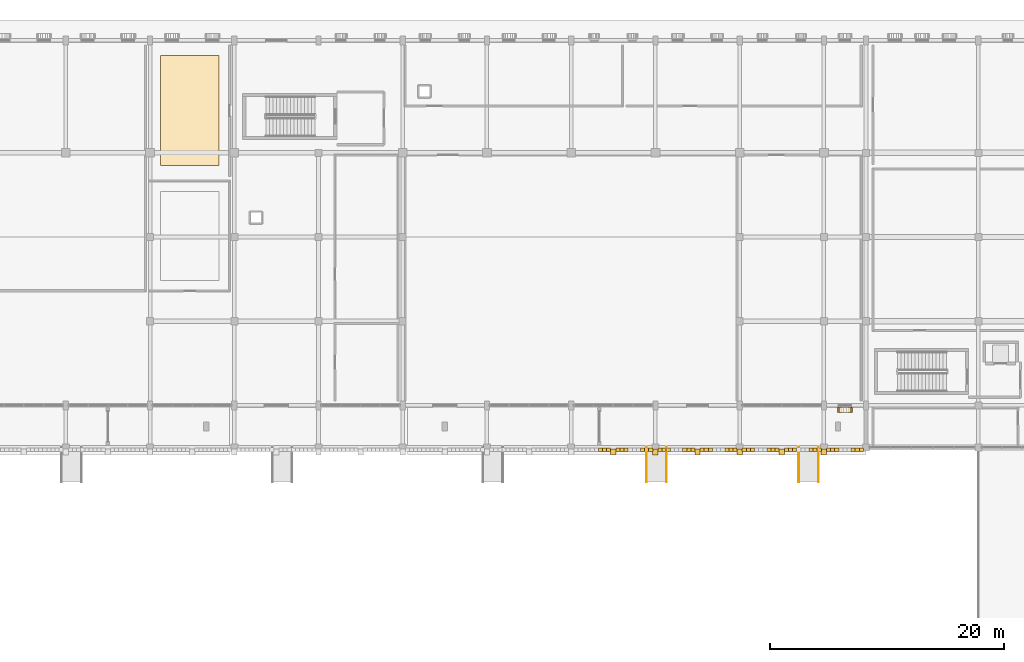
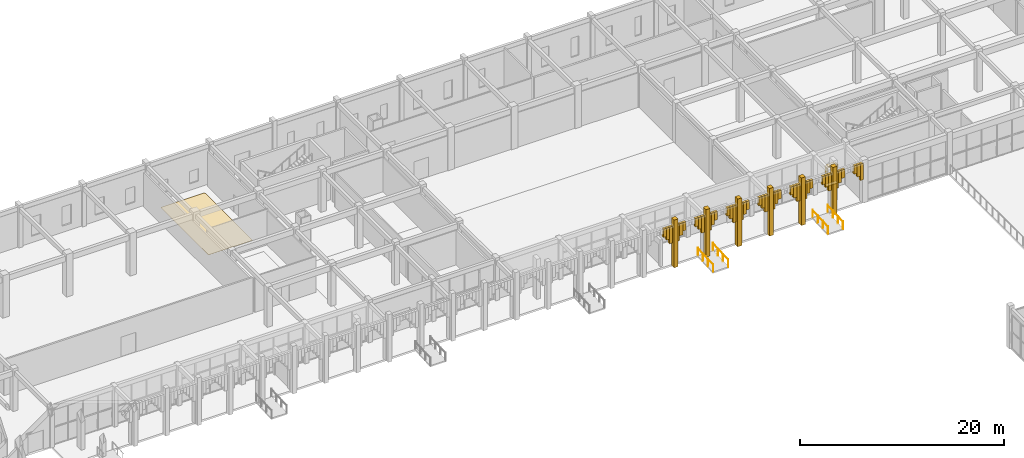
# One storey, part 55 of 72: 51 coverings, 4 railings.
"""IFC4 building model written with IfcOpenShell, lengths in metres."""

from ifc_helpers import new_model, si_unit, direction, frame, origin, origin_2d, place, context, subcontext, project, spatial, polyline, rectangle, circle, outline, extrude, material, layer, layer_set, type_object, element, save


model = new_model("IFC4")

# Units and contexts
model_context = context("Model", 3, precision=1e-05, world=origin(), true_north=direction((0.0, 1.0)))
body_context = subcontext(model_context, "Body", "Model", "MODEL_VIEW")
ifc_project = project(units=[si_unit("LENGTHUNIT", "METRE"), si_unit("AREAUNIT", "SQUARE_METRE"), si_unit("VOLUMEUNIT", "CUBIC_METRE"), si_unit("PLANEANGLEUNIT", "RADIAN"), si_unit("MASSUNIT", "GRAM", prefix="KILO")], contexts=[model_context])

# Site, building, storey
site_placement = place(None, origin())
site = spatial("IfcSite", under=ifc_project, at=site_placement, CompositionType="ELEMENT")
building_placement = place(site_placement, origin())
building = spatial("IfcBuilding", under=site, at=building_placement, Name="Nzembalo Square Collegiate School", CompositionType="ELEMENT")
storey_placement = place(building_placement, origin())
storey = spatial("IfcBuildingStorey", under=building, at=storey_placement, Name="L00", CompositionType="ELEMENT", Elevation=0.0)

# Coverings
ifc_material_1 = material(Name="Precast concrete C40/50 arch voussoir", Category="concrete")
ifc_layer_1 = layer(ifc_material_1, 0.1201171875, Name="Precast concrete C40/50 arch voussoir")
ifc_layer_set_1 = layer_set([ifc_layer_1], Name="Precast concrete C40/50 arch voussoir")
covering_type_1 = type_object("IfcCoveringType", Name="AR01", PredefinedType="CLADDING", material=ifc_layer_set_1)
covering_1_placement = place(storey_placement, frame((108.10205078125, 79.02001953125, 3.810546875), z_axis=(0.0, 0.0, 1.0), x_axis=(1.0, 0.0, 0.0)))
element("IfcCovering", 1, at=covering_1_placement, inside=storey, type_object=covering_type_1, Name="Gothic pointed arch voussoir AR01-060-6", PredefinedType="CLADDING", context=body_context, shape_type="SweptSolid", body=[
    extrude(rectangle(XDim=0.35107421875, YDim=0.280029296875, at=origin_2d()), origin(), (0.0, 0.0, 1.0), 0.989501953125),
])
covering_2_placement = place(storey_placement, frame((108.453125, 79.02001953125, 3.361328125), z_axis=(0.0, 0.0, 1.0), x_axis=(1.0, 0.0, 0.0)))
element("IfcCovering", 2, at=covering_2_placement, inside=storey, type_object=covering_type_1, Name="Gothic pointed arch voussoir AR01-060-7", PredefinedType="CLADDING", context=body_context, shape_type="SweptSolid", body=[
    extrude(rectangle(XDim=0.35107421875, YDim=0.280029296875, at=origin_2d()), origin(), (0.0, 0.0, 1.0), 1.438720703125),
])
covering_3_placement = place(storey_placement, frame((108.80419921875, 79.02001953125, 2.80859375), z_axis=(0.0, 0.0, 1.0), x_axis=(1.0, 0.0, 0.0)))
element("IfcCovering", 3, at=covering_3_placement, inside=storey, type_object=covering_type_1, Name="Gothic pointed arch voussoir AR01-060-8", PredefinedType="CLADDING", context=body_context, shape_type="SweptSolid", body=[
    extrude(rectangle(XDim=0.35107421875, YDim=0.280029296875, at=origin_2d()), origin(), (0.0, 0.0, 1.0), 1.991455078125),
])
covering_4_placement = place(storey_placement, frame((109.595458984375, 79.02001953125, 2.808349609375), z_axis=(0.0, 0.0, 1.0), x_axis=(1.0, 0.0, 0.0)))
element("IfcCovering", 4, at=covering_4_placement, inside=storey, type_object=covering_type_1, Name="Gothic pointed arch voussoir AR01-061-0", PredefinedType="CLADDING", context=body_context, shape_type="SweptSolid", body=[
    extrude(rectangle(XDim=0.35107421875, YDim=0.280029296875, at=origin_2d()), origin(), (0.0, 0.0, 1.0), 1.99169921875),
])
covering_5_placement = place(storey_placement, frame((109.946533203125, 79.02001953125, 3.361083984375), z_axis=(0.0, 0.0, 1.0), x_axis=(1.0, 0.0, 0.0)))
element("IfcCovering", 5, at=covering_5_placement, inside=storey, type_object=covering_type_1, Name="Gothic pointed arch voussoir AR01-061-1", PredefinedType="CLADDING", context=body_context, shape_type="SweptSolid", body=[
    extrude(rectangle(XDim=0.35107421875, YDim=0.280029296875, at=origin_2d()), origin(), (0.0, 0.0, 1.0), 1.43896484375),
])
for number, where, z_axis, x_axis, name in (
    (6, (110.297607421875, 79.02001953125, 3.810546875), (0.0, 0.0, 1.0), (1.0, 0.0, 0.0), "Gothic pointed arch voussoir AR01-061-2"),
    (7, (111.7021484375, 79.02001953125, 3.810546875), (0.0, 0.0, 1.0), (1.0, 0.0, 0.0), "Gothic pointed arch voussoir AR01-061-6"),
):
    element("IfcCovering", number, at=place(storey_placement, frame(where, z_axis=z_axis, x_axis=x_axis)), inside=storey, type_object=covering_type_1, Name=name, PredefinedType="CLADDING", context=body_context, shape_type="SweptSolid", body=[
        extrude(rectangle(XDim=0.35107421875, YDim=0.280029296875, at=origin_2d()), origin(), (0.0, 0.0, 1.0), 0.989501953125),
    ])
covering_6_placement = place(storey_placement, frame((112.05322265625, 79.02001953125, 3.361328125), z_axis=(0.0, 0.0, 1.0), x_axis=(1.0, 0.0, 0.0)))
element("IfcCovering", 8, at=covering_6_placement, inside=storey, type_object=covering_type_1, Name="Gothic pointed arch voussoir AR01-061-7", PredefinedType="CLADDING", context=body_context, shape_type="SweptSolid", body=[
    extrude(rectangle(XDim=0.35107421875, YDim=0.280029296875, at=origin_2d()), origin(), (0.0, 0.0, 1.0), 1.438720703125),
])
covering_7_placement = place(storey_placement, frame((112.404296875, 79.02001953125, 2.80859375), z_axis=(0.0, 0.0, 1.0), x_axis=(1.0, 0.0, 0.0)))
element("IfcCovering", 9, at=covering_7_placement, inside=storey, type_object=covering_type_1, Name="Gothic pointed arch voussoir AR01-061-8", PredefinedType="CLADDING", context=body_context, shape_type="SweptSolid", body=[
    extrude(rectangle(XDim=0.35107421875, YDim=0.280029296875, at=origin_2d()), origin(), (0.0, 0.0, 1.0), 1.991455078125),
])
covering_8_placement = place(storey_placement, frame((109.199951171875, 78.840087890625, 0.0), z_axis=(0.0, 0.0, 1.0), x_axis=(1.0, 0.0, 0.0)))
element("IfcCovering", 10, at=covering_8_placement, inside=storey, type_object=covering_type_1, Name="Gothic arcade buttress pinnacle AR01-B061", PredefinedType="CLADDING", context=body_context, shape_type="SweptSolid", body=[
    extrude(rectangle(XDim=0.4599609375, YDim=0.52001953125, at=origin_2d()), origin(), (0.0, 0.0, 1.0), 5.699951171875),
])
covering_9_placement = place(storey_placement, frame((113.195556640625, 79.02001953125, 2.808349609375), z_axis=(0.0, 0.0, 1.0), x_axis=(1.0, 0.0, 0.0)))
element("IfcCovering", 11, at=covering_9_placement, inside=storey, type_object=covering_type_1, Name="Gothic pointed arch voussoir AR01-062-0", PredefinedType="CLADDING", context=body_context, shape_type="SweptSolid", body=[
    extrude(rectangle(XDim=0.35107421875, YDim=0.280029296875, at=origin_2d()), origin(), (0.0, 0.0, 1.0), 1.99169921875),
])
covering_10_placement = place(storey_placement, frame((113.546630859375, 79.02001953125, 3.361083984375), z_axis=(0.0, 0.0, 1.0), x_axis=(1.0, 0.0, 0.0)))
element("IfcCovering", 12, at=covering_10_placement, inside=storey, type_object=covering_type_1, Name="Gothic pointed arch voussoir AR01-062-1", PredefinedType="CLADDING", context=body_context, shape_type="SweptSolid", body=[
    extrude(rectangle(XDim=0.35107421875, YDim=0.280029296875, at=origin_2d()), origin(), (0.0, 0.0, 1.0), 1.43896484375),
])
for number, where, z_axis, x_axis, name in (
    (13, (113.897705078125, 79.02001953125, 3.810546875), (0.0, 0.0, 1.0), (1.0, 0.0, 0.0), "Gothic pointed arch voussoir AR01-062-2"),
    (14, (115.302001953125, 79.02001953125, 3.810546875), (0.0, 0.0, 1.0), (1.0, 0.0, 0.0), "Gothic pointed arch voussoir AR01-062-6"),
):
    element("IfcCovering", number, at=place(storey_placement, frame(where, z_axis=z_axis, x_axis=x_axis)), inside=storey, type_object=covering_type_1, Name=name, PredefinedType="CLADDING", context=body_context, shape_type="SweptSolid", body=[
        extrude(rectangle(XDim=0.35107421875, YDim=0.280029296875, at=origin_2d()), origin(), (0.0, 0.0, 1.0), 0.989501953125),
    ])
covering_11_placement = place(storey_placement, frame((115.6533203125, 79.02001953125, 3.361328125), z_axis=(0.0, 0.0, 1.0), x_axis=(1.0, 0.0, 0.0)))
element("IfcCovering", 15, at=covering_11_placement, inside=storey, type_object=covering_type_1, Name="Gothic pointed arch voussoir AR01-062-7", PredefinedType="CLADDING", context=body_context, shape_type="SweptSolid", body=[
    extrude(rectangle(XDim=0.35107421875, YDim=0.280029296875, at=origin_2d()), origin(), (0.0, 0.0, 1.0), 1.438720703125),
])
covering_12_placement = place(storey_placement, frame((116.00439453125, 79.02001953125, 2.80859375), z_axis=(0.0, 0.0, 1.0), x_axis=(1.0, 0.0, 0.0)))
element("IfcCovering", 16, at=covering_12_placement, inside=storey, type_object=covering_type_1, Name="Gothic pointed arch voussoir AR01-062-8", PredefinedType="CLADDING", context=body_context, shape_type="SweptSolid", body=[
    extrude(rectangle(XDim=0.35107421875, YDim=0.280029296875, at=origin_2d()), origin(), (0.0, 0.0, 1.0), 1.991455078125),
])
covering_13_placement = place(storey_placement, frame((112.800048828125, 78.840087890625, 0.0), z_axis=(0.0, 0.0, 1.0), x_axis=(1.0, 0.0, 0.0)))
element("IfcCovering", 17, at=covering_13_placement, inside=storey, type_object=covering_type_1, Name="Gothic arcade buttress pinnacle AR01-B062", PredefinedType="CLADDING", context=body_context, shape_type="SweptSolid", body=[
    extrude(rectangle(XDim=0.4599609375, YDim=0.52001953125, at=origin_2d()), origin(), (0.0, 0.0, 1.0), 5.699951171875),
])
covering_14_placement = place(storey_placement, frame((116.79541015625, 79.02001953125, 2.808349609375), z_axis=(0.0, 0.0, 1.0), x_axis=(1.0, 0.0, 0.0)))
element("IfcCovering", 18, at=covering_14_placement, inside=storey, type_object=covering_type_1, Name="Gothic pointed arch voussoir AR01-063-0", PredefinedType="CLADDING", context=body_context, shape_type="SweptSolid", body=[
    extrude(rectangle(XDim=0.35107421875, YDim=0.280029296875, at=origin_2d()), origin(), (0.0, 0.0, 1.0), 1.99169921875),
])
covering_15_placement = place(storey_placement, frame((117.146484375, 79.02001953125, 3.361083984375), z_axis=(0.0, 0.0, 1.0), x_axis=(1.0, 0.0, 0.0)))
element("IfcCovering", 19, at=covering_15_placement, inside=storey, type_object=covering_type_1, Name="Gothic pointed arch voussoir AR01-063-1", PredefinedType="CLADDING", context=body_context, shape_type="SweptSolid", body=[
    extrude(rectangle(XDim=0.35107421875, YDim=0.280029296875, at=origin_2d()), origin(), (0.0, 0.0, 1.0), 1.43896484375),
])
for number, where, z_axis, x_axis, name in (
    (20, (117.497802734375, 79.02001953125, 3.810546875), (0.0, 0.0, 1.0), (1.0, 0.0, 0.0), "Gothic pointed arch voussoir AR01-063-2"),
    (21, (118.902099609375, 79.02001953125, 3.810546875), (0.0, 0.0, 1.0), (1.0, 0.0, 0.0), "Gothic pointed arch voussoir AR01-063-6"),
):
    element("IfcCovering", number, at=place(storey_placement, frame(where, z_axis=z_axis, x_axis=x_axis)), inside=storey, type_object=covering_type_1, Name=name, PredefinedType="CLADDING", context=body_context, shape_type="SweptSolid", body=[
        extrude(rectangle(XDim=0.35107421875, YDim=0.280029296875, at=origin_2d()), origin(), (0.0, 0.0, 1.0), 0.989501953125),
    ])
covering_16_placement = place(storey_placement, frame((119.253173828125, 79.02001953125, 3.361328125), z_axis=(0.0, 0.0, 1.0), x_axis=(1.0, 0.0, 0.0)))
element("IfcCovering", 22, at=covering_16_placement, inside=storey, type_object=covering_type_1, Name="Gothic pointed arch voussoir AR01-063-7", PredefinedType="CLADDING", context=body_context, shape_type="SweptSolid", body=[
    extrude(rectangle(XDim=0.35107421875, YDim=0.280029296875, at=origin_2d()), origin(), (0.0, 0.0, 1.0), 1.438720703125),
])
covering_17_placement = place(storey_placement, frame((119.604248046875, 79.02001953125, 2.80859375), z_axis=(0.0, 0.0, 1.0), x_axis=(1.0, 0.0, 0.0)))
element("IfcCovering", 23, at=covering_17_placement, inside=storey, type_object=covering_type_1, Name="Gothic pointed arch voussoir AR01-063-8", PredefinedType="CLADDING", context=body_context, shape_type="SweptSolid", body=[
    extrude(rectangle(XDim=0.35107421875, YDim=0.280029296875, at=origin_2d()), origin(), (0.0, 0.0, 1.0), 1.991455078125),
])
covering_18_placement = place(storey_placement, frame((116.39990234375, 78.840087890625, 0.0), z_axis=(0.0, 0.0, 1.0), x_axis=(1.0, 0.0, 0.0)))
element("IfcCovering", 24, at=covering_18_placement, inside=storey, type_object=covering_type_1, Name="Gothic arcade buttress pinnacle AR01-B063", PredefinedType="CLADDING", context=body_context, shape_type="SweptSolid", body=[
    extrude(rectangle(XDim=0.4599609375, YDim=0.52001953125, at=origin_2d()), origin(), (0.0, 0.0, 1.0), 5.699951171875),
])
covering_19_placement = place(storey_placement, frame((120.3955078125, 79.02001953125, 2.808349609375), z_axis=(0.0, 0.0, 1.0), x_axis=(1.0, 0.0, 0.0)))
element("IfcCovering", 25, at=covering_19_placement, inside=storey, type_object=covering_type_1, Name="Gothic pointed arch voussoir AR01-064-0", PredefinedType="CLADDING", context=body_context, shape_type="SweptSolid", body=[
    extrude(rectangle(XDim=0.35107421875, YDim=0.280029296875, at=origin_2d()), origin(), (0.0, 0.0, 1.0), 1.99169921875),
])
covering_20_placement = place(storey_placement, frame((120.74658203125, 79.02001953125, 3.361083984375), z_axis=(0.0, 0.0, 1.0), x_axis=(1.0, 0.0, 0.0)))
element("IfcCovering", 26, at=covering_20_placement, inside=storey, type_object=covering_type_1, Name="Gothic pointed arch voussoir AR01-064-1", PredefinedType="CLADDING", context=body_context, shape_type="SweptSolid", body=[
    extrude(rectangle(XDim=0.35107421875, YDim=0.280029296875, at=origin_2d()), origin(), (0.0, 0.0, 1.0), 1.43896484375),
])
for number, where, z_axis, x_axis, name in (
    (27, (121.09765625, 79.02001953125, 3.810546875), (0.0, 0.0, 1.0), (1.0, 0.0, 0.0), "Gothic pointed arch voussoir AR01-064-2"),
    (28, (122.502197265625, 79.02001953125, 3.810546875), (0.0, 0.0, 1.0), (1.0, 0.0, 0.0), "Gothic pointed arch voussoir AR01-064-6"),
):
    element("IfcCovering", number, at=place(storey_placement, frame(where, z_axis=z_axis, x_axis=x_axis)), inside=storey, type_object=covering_type_1, Name=name, PredefinedType="CLADDING", context=body_context, shape_type="SweptSolid", body=[
        extrude(rectangle(XDim=0.35107421875, YDim=0.280029296875, at=origin_2d()), origin(), (0.0, 0.0, 1.0), 0.989501953125),
    ])
covering_21_placement = place(storey_placement, frame((122.853271484375, 79.02001953125, 3.361328125), z_axis=(0.0, 0.0, 1.0), x_axis=(1.0, 0.0, 0.0)))
element("IfcCovering", 29, at=covering_21_placement, inside=storey, type_object=covering_type_1, Name="Gothic pointed arch voussoir AR01-064-7", PredefinedType="CLADDING", context=body_context, shape_type="SweptSolid", body=[
    extrude(rectangle(XDim=0.35107421875, YDim=0.280029296875, at=origin_2d()), origin(), (0.0, 0.0, 1.0), 1.438720703125),
])
covering_22_placement = place(storey_placement, frame((123.204345703125, 79.02001953125, 2.80859375), z_axis=(0.0, 0.0, 1.0), x_axis=(1.0, 0.0, 0.0)))
element("IfcCovering", 30, at=covering_22_placement, inside=storey, type_object=covering_type_1, Name="Gothic pointed arch voussoir AR01-064-8", PredefinedType="CLADDING", context=body_context, shape_type="SweptSolid", body=[
    extrude(rectangle(XDim=0.35107421875, YDim=0.280029296875, at=origin_2d()), origin(), (0.0, 0.0, 1.0), 1.991455078125),
])
covering_23_placement = place(storey_placement, frame((120.0, 78.840087890625, 0.0), z_axis=(0.0, 0.0, 1.0), x_axis=(1.0, 0.0, 0.0)))
element("IfcCovering", 31, at=covering_23_placement, inside=storey, type_object=covering_type_1, Name="Gothic arcade buttress pinnacle AR01-B064", PredefinedType="CLADDING", context=body_context, shape_type="SweptSolid", body=[
    extrude(rectangle(XDim=0.4599609375, YDim=0.52001953125, at=origin_2d()), origin(), (0.0, 0.0, 1.0), 5.699951171875),
])
covering_24_placement = place(storey_placement, frame((123.99560546875, 79.02001953125, 2.808349609375), z_axis=(0.0, 0.0, 1.0), x_axis=(1.0, 0.0, 0.0)))
element("IfcCovering", 32, at=covering_24_placement, inside=storey, type_object=covering_type_1, Name="Gothic pointed arch voussoir AR01-065-0", PredefinedType="CLADDING", context=body_context, shape_type="SweptSolid", body=[
    extrude(rectangle(XDim=0.35107421875, YDim=0.280029296875, at=origin_2d()), origin(), (0.0, 0.0, 1.0), 1.99169921875),
])
covering_25_placement = place(storey_placement, frame((124.3466796875, 79.02001953125, 3.361083984375), z_axis=(0.0, 0.0, 1.0), x_axis=(1.0, 0.0, 0.0)))
element("IfcCovering", 33, at=covering_25_placement, inside=storey, type_object=covering_type_1, Name="Gothic pointed arch voussoir AR01-065-1", PredefinedType="CLADDING", context=body_context, shape_type="SweptSolid", body=[
    extrude(rectangle(XDim=0.35107421875, YDim=0.280029296875, at=origin_2d()), origin(), (0.0, 0.0, 1.0), 1.43896484375),
])
for number, where, z_axis, x_axis, name in (
    (34, (124.69775390625, 79.02001953125, 3.810546875), (0.0, 0.0, 1.0), (1.0, 0.0, 0.0), "Gothic pointed arch voussoir AR01-065-2"),
    (35, (126.10205078125, 79.02001953125, 3.810546875), (0.0, 0.0, 1.0), (1.0, 0.0, 0.0), "Gothic pointed arch voussoir AR01-065-6"),
):
    element("IfcCovering", number, at=place(storey_placement, frame(where, z_axis=z_axis, x_axis=x_axis)), inside=storey, type_object=covering_type_1, Name=name, PredefinedType="CLADDING", context=body_context, shape_type="SweptSolid", body=[
        extrude(rectangle(XDim=0.35107421875, YDim=0.280029296875, at=origin_2d()), origin(), (0.0, 0.0, 1.0), 0.989501953125),
    ])
covering_26_placement = place(storey_placement, frame((126.453125, 79.02001953125, 3.361328125), z_axis=(0.0, 0.0, 1.0), x_axis=(1.0, 0.0, 0.0)))
element("IfcCovering", 36, at=covering_26_placement, inside=storey, type_object=covering_type_1, Name="Gothic pointed arch voussoir AR01-065-7", PredefinedType="CLADDING", context=body_context, shape_type="SweptSolid", body=[
    extrude(rectangle(XDim=0.35107421875, YDim=0.280029296875, at=origin_2d()), origin(), (0.0, 0.0, 1.0), 1.438720703125),
])
covering_27_placement = place(storey_placement, frame((126.80419921875, 79.02001953125, 2.80859375), z_axis=(0.0, 0.0, 1.0), x_axis=(1.0, 0.0, 0.0)))
element("IfcCovering", 37, at=covering_27_placement, inside=storey, type_object=covering_type_1, Name="Gothic pointed arch voussoir AR01-065-8", PredefinedType="CLADDING", context=body_context, shape_type="SweptSolid", body=[
    extrude(rectangle(XDim=0.35107421875, YDim=0.280029296875, at=origin_2d()), origin(), (0.0, 0.0, 1.0), 1.991455078125),
])
covering_28_placement = place(storey_placement, frame((123.60009765625, 78.840087890625, 0.0), z_axis=(0.0, 0.0, 1.0), x_axis=(1.0, 0.0, 0.0)))
element("IfcCovering", 38, at=covering_28_placement, inside=storey, type_object=covering_type_1, Name="Gothic arcade buttress pinnacle AR01-B065", PredefinedType="CLADDING", context=body_context, shape_type="SweptSolid", body=[
    extrude(rectangle(XDim=0.4599609375, YDim=0.52001953125, at=origin_2d()), origin(), (0.0, 0.0, 1.0), 5.699951171875),
])
covering_29_placement = place(storey_placement, frame((127.595458984375, 79.02001953125, 2.808349609375), z_axis=(0.0, 0.0, 1.0), x_axis=(1.0, 0.0, 0.0)))
element("IfcCovering", 39, at=covering_29_placement, inside=storey, type_object=covering_type_1, Name="Gothic pointed arch voussoir AR01-066-0", PredefinedType="CLADDING", context=body_context, shape_type="SweptSolid", body=[
    extrude(rectangle(XDim=0.35107421875, YDim=0.280029296875, at=origin_2d()), origin(), (0.0, 0.0, 1.0), 1.99169921875),
])
covering_30_placement = place(storey_placement, frame((127.946533203125, 79.02001953125, 3.361083984375), z_axis=(0.0, 0.0, 1.0), x_axis=(1.0, 0.0, 0.0)))
element("IfcCovering", 40, at=covering_30_placement, inside=storey, type_object=covering_type_1, Name="Gothic pointed arch voussoir AR01-066-1", PredefinedType="CLADDING", context=body_context, shape_type="SweptSolid", body=[
    extrude(rectangle(XDim=0.35107421875, YDim=0.280029296875, at=origin_2d()), origin(), (0.0, 0.0, 1.0), 1.43896484375),
])
for number, where, z_axis, x_axis, name in (
    (41, (128.297607421875, 79.02001953125, 3.810546875), (0.0, 0.0, 1.0), (1.0, 0.0, 0.0), "Gothic pointed arch voussoir AR01-066-2"),
    (42, (129.7021484375, 79.02001953125, 3.810546875), (0.0, 0.0, 1.0), (1.0, 0.0, 0.0), "Gothic pointed arch voussoir AR01-066-6"),
):
    element("IfcCovering", number, at=place(storey_placement, frame(where, z_axis=z_axis, x_axis=x_axis)), inside=storey, type_object=covering_type_1, Name=name, PredefinedType="CLADDING", context=body_context, shape_type="SweptSolid", body=[
        extrude(rectangle(XDim=0.35107421875, YDim=0.280029296875, at=origin_2d()), origin(), (0.0, 0.0, 1.0), 0.989501953125),
    ])
covering_31_placement = place(storey_placement, frame((130.05322265625, 79.02001953125, 3.361328125), z_axis=(0.0, 0.0, 1.0), x_axis=(1.0, 0.0, 0.0)))
element("IfcCovering", 43, at=covering_31_placement, inside=storey, type_object=covering_type_1, Name="Gothic pointed arch voussoir AR01-066-7", PredefinedType="CLADDING", context=body_context, shape_type="SweptSolid", body=[
    extrude(rectangle(XDim=0.35107421875, YDim=0.280029296875, at=origin_2d()), origin(), (0.0, 0.0, 1.0), 1.438720703125),
])
covering_32_placement = place(storey_placement, frame((130.404296875, 79.02001953125, 2.80859375), z_axis=(0.0, 0.0, 1.0), x_axis=(1.0, 0.0, 0.0)))
element("IfcCovering", 44, at=covering_32_placement, inside=storey, type_object=covering_type_1, Name="Gothic pointed arch voussoir AR01-066-8", PredefinedType="CLADDING", context=body_context, shape_type="SweptSolid", body=[
    extrude(rectangle(XDim=0.35107421875, YDim=0.280029296875, at=origin_2d()), origin(), (0.0, 0.0, 1.0), 1.991455078125),
])
covering_33_placement = place(storey_placement, frame((127.199951171875, 78.840087890625, 0.0), z_axis=(0.0, 0.0, 1.0), x_axis=(1.0, 0.0, 0.0)))
element("IfcCovering", 45, at=covering_33_placement, inside=storey, type_object=covering_type_1, Name="Gothic arcade buttress pinnacle AR01-B066", PredefinedType="CLADDING", context=body_context, shape_type="SweptSolid", body=[
    extrude(rectangle(XDim=0.4599609375, YDim=0.52001953125, at=origin_2d()), origin(), (0.0, 0.0, 1.0), 5.699951171875),
])
ifc_material_2 = material(Name="Polished stone terrazzo flooring", Category="masonry")
ifc_layer_2 = layer(ifc_material_2, 0.02001953125, Name="Polished stone terrazzo flooring")
ifc_layer_set_2 = layer_set([ifc_layer_2], Name="Polished stone terrazzo flooring")
covering_type_2 = type_object("IfcCoveringType", Name="FL01", PredefinedType="FLOORING", material=ifc_layer_set_2)
covering_34_placement = place(storey_placement, origin())
element("IfcCovering", 46, at=covering_34_placement, inside=storey, type_object=covering_type_2, Name="Terrazzo finish flooring FL01-07", PredefinedType="FLOORING", context=body_context, shape_type="SweptSolid", body=[
    extrude(outline(polyline([(70.5, 103.300048828125), (75.5, 103.300048828125), (75.5, 112.699951171875), (70.5, 112.699951171875), (70.5, 103.300048828125)])), origin(), (0.0, 0.0, 1.0), 0.02001953125),
])
ifc_material_3 = material(Name="Glazed celadon ceramic window frame")
ifc_layer_3 = layer(ifc_material_3, 0.419921875, Name="Glazed celadon ceramic window frame")
ifc_layer_set_3 = layer_set([ifc_layer_3], Name="Glazed celadon ceramic window frame")
covering_type_3 = type_object("IfcCoveringType", Name="WF01", PredefinedType="CLADDING", material=ifc_layer_set_3)
covering_35_placement = place(storey_placement, frame((129.0, 82.425048828125, 2.85498046875), z_axis=(0.0, 0.0, 1.0), x_axis=(1.0, 0.0, 0.0)))
element("IfcCovering", 47, at=covering_35_placement, inside=storey, type_object=covering_type_3, Name="Deep lancet window hood WF01-0159", PredefinedType="CLADDING", context=body_context, shape_type="SweptSolid", body=[
    extrude(rectangle(XDim=1.2900390625, YDim=0.419921875, at=origin_2d()), origin(), (0.0, 0.0, 1.0), 0.110107421875),
])
covering_36_placement = place(storey_placement, frame((129.0, 82.425048828125, 2.9599609375), z_axis=(0.0, 0.0, 1.0), x_axis=(1.0, 0.0, 0.0)))
element("IfcCovering", 48, at=covering_36_placement, inside=storey, type_object=covering_type_3, Name="Pointed lancet gable WF01-0159-1", PredefinedType="CLADDING", context=body_context, shape_type="SweptSolid", body=[
    extrude(rectangle(XDim=0.949951171875, YDim=0.419921875, at=origin_2d()), origin(), (0.0, 0.0, 1.0), 0.1201171875),
])
covering_37_placement = place(storey_placement, frame((129.0, 82.425048828125, 0.65478515625), z_axis=(0.0, 0.0, 1.0), x_axis=(1.0, 0.0, 0.0)))
element("IfcCovering", 49, at=covering_37_placement, inside=storey, type_object=covering_type_3, Name="Deep lancet window sill WF01-0159", PredefinedType="CLADDING", context=body_context, shape_type="SweptSolid", body=[
    extrude(rectangle(XDim=1.2900390625, YDim=0.419921875, at=origin_2d()), origin(), (0.0, 0.0, 1.0), 0.090087890625),
])
for number, where, z_axis, x_axis, name in (
    (50, (128.419921875, 82.425048828125, 0.75), (0.0, 0.0, 1.0), (1.0, 0.0, 0.0), "Deep lancet window jamb WF01-0159L"),
    (51, (129.580078125, 82.425048828125, 0.75), (0.0, 0.0, 1.0), (1.0, 0.0, 0.0), "Deep lancet window jamb WF01-0159R"),
):
    element("IfcCovering", number, at=place(storey_placement, frame(where, z_axis=z_axis, x_axis=x_axis)), inside=storey, type_object=covering_type_3, Name=name, PredefinedType="CLADDING", context=body_context, shape_type="SweptSolid", body=[
        extrude(rectangle(XDim=0.10009765625, YDim=0.419921875, at=origin_2d()), origin(), (0.0, 0.0, 1.0), 2.10009765625),
    ])

# Railings
ifc_material_4 = material(Name="Steel S355", Category="steel")
railing_type = type_object("IfcRailingType", Name="HR02", PredefinedType="HANDRAIL", material=ifc_material_4)
for number, where, name in (
    (52, (112.050048828125, 76.25, -0.14990234375), "Ramp handrail RP-05-H1"),
    (53, (113.75, 76.25, -0.14990234375), "Ramp handrail RP-05-H2"),
    (54, (125.050048828125, 76.25, -0.14990234375), "Ramp handrail RP-06-H1"),
    (55, (126.75, 76.25, -0.14990234375), "Ramp handrail RP-06-H2"),
):
    element("IfcRailing", number, at=place(storey_placement, frame(where)), inside=storey, type_object=railing_type, Name=name, PredefinedType="HANDRAIL", context=body_context, shape_type="SweptSolid", body=[
        extrude(circle(Radius=0.02392578125, at=origin_2d()), frame((0.0, 0.0, 0.89599609375), z_axis=(0.0, 0.998753959874, 0.049905186472), x_axis=(-1.0, 0.0, 0.0)), (0.0, 0.0, 1.0), 3.003662109375),
        extrude(circle(Radius=0.02099609375, at=origin_2d()), origin(), (0.0, 0.0, 1.0), 0.871826171875),
        extrude(circle(Radius=0.02099609375, at=origin_2d()), frame((0.0, 1.0, 0.050048828125)), (0.0, 0.0, 1.0), 0.871826171875),
        extrude(circle(Radius=0.02099609375, at=origin_2d()), frame((0.0, 2.0, 0.099853515625)), (0.0, 0.0, 1.0), 0.871826171875),
        extrude(circle(Radius=0.02099609375, at=origin_2d()), frame((0.0, 3.0, 0.14990234375)), (0.0, 0.0, 1.0), 0.871826171875),
    ])

save(model, "model.ifc")
